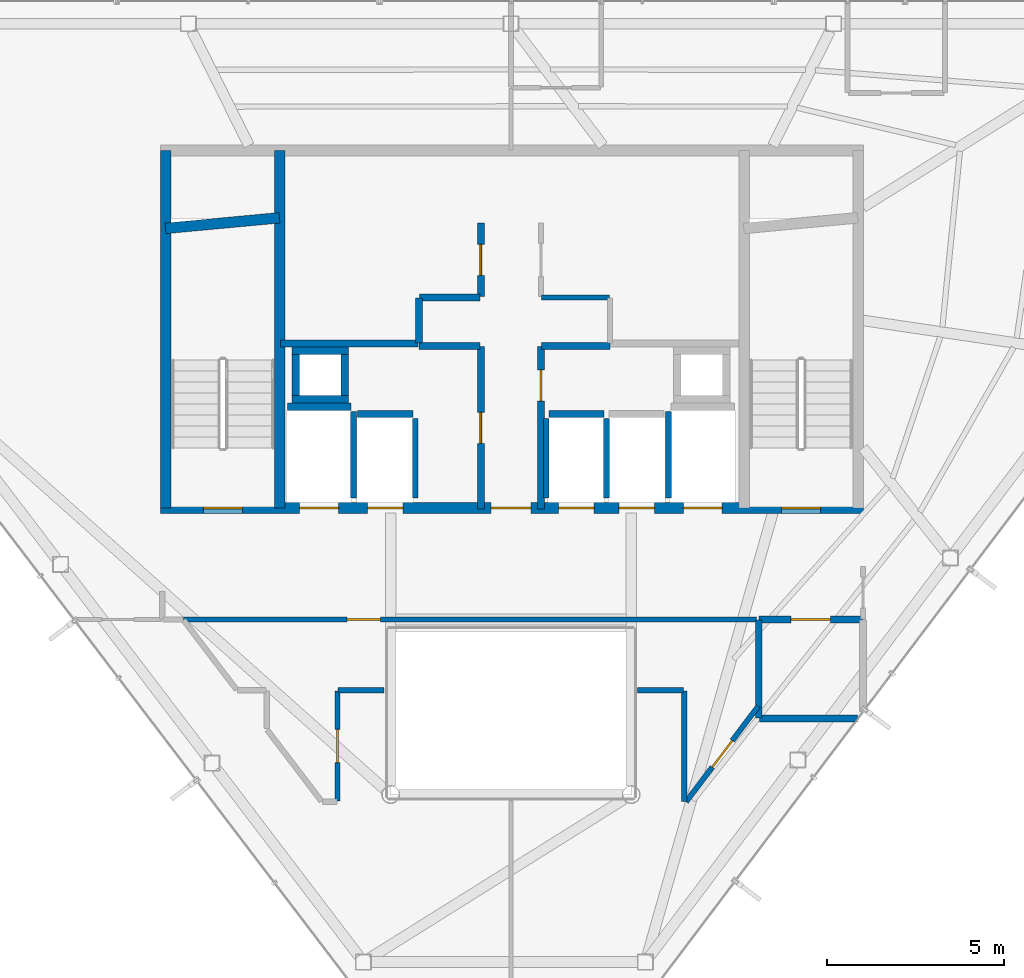
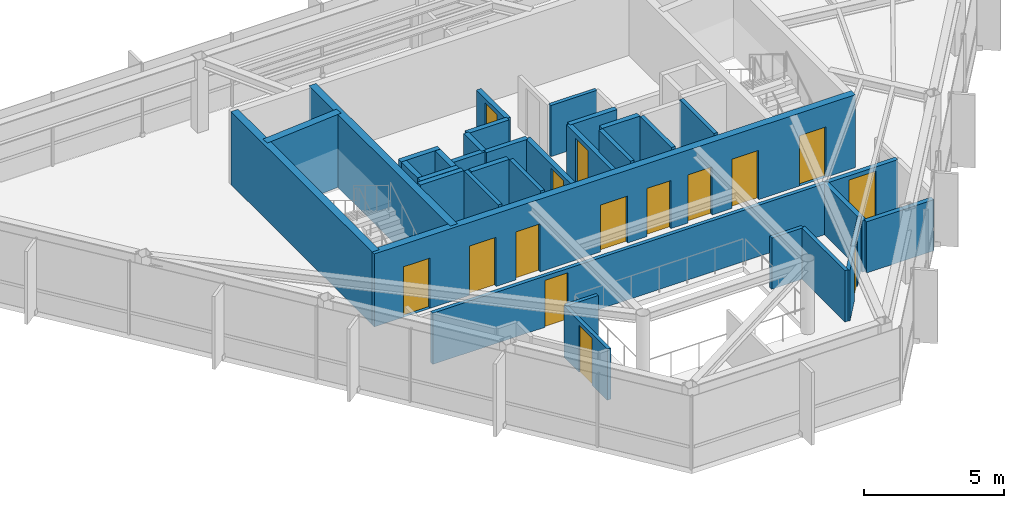
# One storey, part 21 of 23: 34 walls, 15 doors, 15 openings.
"""IFC4 building model written with IfcOpenShell, lengths in metres."""

from ifc_helpers import new_model, si_unit, direction, frame, frame_2d, origin, place, context, subcontext, project, spatial, rectangle, extrude, material, layer, layer_set, type_object, element, fill, save


model = new_model("IFC4")

# Units and contexts
model_context = context("Model", 3, precision=1e-05, world=origin(), true_north=direction((0.0, 1.0)))
body_context = subcontext(model_context, "Body", "Model", "MODEL_VIEW")
ifc_project = project(units=[si_unit("LENGTHUNIT", "METRE"), si_unit("AREAUNIT", "SQUARE_METRE"), si_unit("VOLUMEUNIT", "CUBIC_METRE"), si_unit("PLANEANGLEUNIT", "RADIAN"), si_unit("MASSUNIT", "GRAM", prefix="KILO")], contexts=[model_context])

# Site, building, storey
site_placement = place(None, origin())
site = spatial("IfcSite", under=ifc_project, at=site_placement, CompositionType="ELEMENT")
building_placement = place(site_placement, origin())
building = spatial("IfcBuilding", under=site, at=building_placement, Name="Zarrinselat Tower", CompositionType="ELEMENT")
storey_placement = place(building_placement, frame((0.0, 0.0, 278.800048828125)))
storey = spatial("IfcBuildingStorey", under=building, at=storey_placement, Name="L71", CompositionType="ELEMENT", Elevation=278.800048828125)

# Wall, opening, door
ifc_material_1 = material(Name="Concrete C40/50", Category="concrete")
ifc_layer_1 = layer(ifc_material_1, 0.18994140625)
ifc_layer_set_1 = layer_set([ifc_layer_1], Name="Concrete C40/50")
wall_type_1 = type_object("IfcWallType", Name="WAL-PART-EI120", PredefinedType="PARTITIONING", material=ifc_layer_set_1)
wall_1_placement = place(storey_placement, frame((45.405029296875, 30.14990234375, 0.0), z_axis=(0.0, 0.0, 1.0), x_axis=(1.0, 0.0, 0.0)))
wall_1 = element("IfcWall", 1, at=wall_1_placement, inside=storey, type_object=wall_type_1, Name="L71 Partition Wall 13", PredefinedType="PARTITIONING", context=body_context, shape_type="SweptSolid", body=[
    extrude(rectangle(XDim=2.925048828125, YDim=0.18994140625, at=frame_2d((1.46240234375, 0.0))), origin(), (0.0, 0.0, 1.0), 2.23486328125),
])
opening_1_placement = place(wall_1_placement, frame((0.902587890625, 0.0, 0.0)))
opening_1 = element("IfcOpeningElement", 2, at=opening_1_placement, cuts=wall_1, Name="Opening ID-02", PredefinedType="OPENING", context=body_context, shape_type="SweptSolid", body=[
    extrude(rectangle(XDim=1.1201171875, YDim=2.050048828125, at=frame_2d((0.56005859375, 1.02490234375))), frame((0.0, 0.10498046875, 0.0), z_axis=(0.0, -1.0, 0.0), x_axis=(1.0, 0.0, 0.0)), (0.0, 0.0, 1.0), 0.2099609375),
])
ifc_material_2 = material(Name="Steel S355J2", Category="steel")
door_type_1 = type_object("IfcDoorType", Name="DR-INT-FD60-W", OperationType="NOTDEFINED", PredefinedType="DOOR", material=ifc_material_2)
door_1_placement = place(opening_1_placement, origin())
door_1 = element("IfcDoor", 3, at=door_1_placement, inside=storey, type_object=door_type_1, Name="L71 Interior Door P13", OperationType="SINGLE_SWING_LEFT", OverallHeight=2.050048828125, OverallWidth=1.1201171875, PredefinedType="DOOR", context=body_context, shape_type="SweptSolid", body=[
    extrude(rectangle(XDim=1.1201171875, YDim=2.050048828125, at=frame_2d((0.56005859375, 1.02490234375))), frame((0.0, 0.02490234375, 0.0), z_axis=(0.0, -1.0, 0.0), x_axis=(1.0, 0.0, 0.0)), (0.0, 0.0, 1.0), 0.050048828125),
])
fill(opening_1, door_1)

# Walls
wall_2_placement = place(storey_placement, frame((45.39990234375, 27.3701171875, 0.0), z_axis=(0.0, 0.0, 1.0), x_axis=(0.0, 1.0, 0.0)))
element("IfcWall", 4, at=wall_2_placement, inside=storey, type_object=wall_type_1, Name="L71 Partition Wall 18", PredefinedType="PARTITIONING", context=body_context, shape_type="SweptSolid", body=[
    extrude(rectangle(XDim=2.759765625, YDim=0.18994140625, at=frame_2d((1.3798828125, 0.0))), origin(), (0.0, 0.0, 1.0), 2.23486328125),
])
wall_3_placement = place(storey_placement, frame((45.419921875, 27.35009765625, 0.0), z_axis=(0.0, 0.0, 1.0), x_axis=(1.0, 0.0, 0.0)))
element("IfcWall", 5, at=wall_3_placement, inside=storey, type_object=wall_type_1, Name="L71 Partition Wall 19", PredefinedType="PARTITIONING", context=body_context, shape_type="SweptSolid", body=[
    extrude(rectangle(XDim=2.772216796875, YDim=0.18994140625, at=frame_2d((1.38623046875, 0.0))), origin(), (0.0, 0.0, 1.0), 2.23486328125),
])
ifc_material_3 = material(Name="Fire-Rated Gypsum Board Partition", Category="gypsum")
ifc_layer_2 = layer(ifc_material_3, 0.14990234375)
ifc_layer_set_2 = layer_set([ifc_layer_2], Name="Fire-Rated Gypsum Board Partition")
wall_type_2 = type_object("IfcWallType", Name="WAL-PART-EI60", PredefinedType="PARTITIONING", material=ifc_layer_set_2)
wall_4_placement = place(storey_placement, frame((39.27001953125, 39.25, 0.0), z_axis=(0.0, 0.0, 1.0), x_axis=(1.0, 0.0, 0.0)))
element("IfcWall", 6, at=wall_4_placement, inside=storey, type_object=wall_type_2, Name="L71 Partition Wall 9", PredefinedType="PARTITIONING", context=body_context, shape_type="SweptSolid", body=[
    extrude(rectangle(XDim=1.909912109375, YDim=0.14990234375, at=frame_2d((0.955078125, 0.0))), origin(), (0.0, 0.0, 1.0), 2.23486328125),
])

# Wall, opening, door
wall_5_placement = place(storey_placement, frame((29.141357421875, 30.14990234375, 0.0), z_axis=(0.0, 0.0, 1.0), x_axis=(1.0, 0.0, 0.0)))
wall_5 = element("IfcWall", 7, at=wall_5_placement, inside=storey, type_object=wall_type_2, Name="L71 Partition Wall 14", PredefinedType="PARTITIONING", context=body_context, shape_type="SweptSolid", body=[
    extrude(rectangle(XDim=16.20361328125, YDim=0.14990234375, at=frame_2d((8.101806640625, 0.0))), origin(), (0.0, 0.0, 1.0), 2.23486328125),
])
opening_2_placement = place(wall_5_placement, frame((4.6318359375, 0.0, 0.0)))
opening_2 = element("IfcOpeningElement", 8, at=opening_2_placement, cuts=wall_5, Name="Opening ID-04", PredefinedType="OPENING", context=body_context, shape_type="SweptSolid", body=[
    extrude(rectangle(XDim=0.93994140625, YDim=2.050048828125, at=frame_2d((0.469970703125, 1.02490234375))), frame((0.0, 0.0849609375, 0.0), z_axis=(0.0, -1.0, 0.0), x_axis=(1.0, 0.0, 0.0)), (0.0, 0.0, 1.0), 0.169921875),
])
ifc_material_4 = material(Name="Fire-Rated Gypsum Board Partition")
door_type_2 = type_object("IfcDoorType", Name="DR-INT-FD30-ENT", OperationType="NOTDEFINED", PredefinedType="DOOR", material=ifc_material_4)
door_2_placement = place(opening_2_placement, origin())
door_2 = element("IfcDoor", 9, at=door_2_placement, inside=storey, type_object=door_type_2, Name="L71 Interior Door P14", OperationType="SINGLE_SWING_RIGHT", OverallHeight=2.050048828125, OverallWidth=0.93994140625, PredefinedType="DOOR", context=body_context, shape_type="SweptSolid", body=[
    extrude(rectangle(XDim=0.93994140625, YDim=2.050048828125, at=frame_2d((0.469970703125, 1.02490234375))), frame((0.0, 0.02490234375, 0.0), z_axis=(0.0, -1.0, 0.0), x_axis=(1.0, 0.0, 0.0)), (0.0, 0.0, 1.0), 0.050048828125),
])
fill(opening_2, door_2)

wall_6_placement = place(storey_placement, frame((43.351318359375, 25.0, 0.0), z_axis=(0.0, 0.0, 1.0), x_axis=(0.602454578258, 0.798153168969, 0.0)))
wall_6 = element("IfcWall", 10, at=wall_6_placement, inside=storey, type_object=wall_type_2, Name="L71 Partition Wall 21", PredefinedType="PARTITIONING", context=body_context, shape_type="SweptSolid", body=[
    extrude(rectangle(XDim=3.3857421875, YDim=0.14990234375, at=frame_2d((1.69287109375, 0.0))), origin(), (0.0, 0.0, 1.0), 2.23486328125),
])
opening_3_placement = place(wall_6_placement, frame((1.222900390625, 0.0, 0.0)))
opening_3 = element("IfcOpeningElement", 11, at=opening_3_placement, cuts=wall_6, Name="Opening ID-04", PredefinedType="OPENING", context=body_context, shape_type="SweptSolid", body=[
    extrude(rectangle(XDim=0.93994140625, YDim=2.050048828125, at=frame_2d((0.469970703125, 1.02490234375))), frame((0.0, 0.0849609375, 0.0), z_axis=(0.0, -1.0, 0.0), x_axis=(1.0, 0.0, 0.0)), (0.0, 0.0, 1.0), 0.169921875),
])
door_3_placement = place(opening_3_placement, origin())
door_3 = element("IfcDoor", 12, at=door_3_placement, inside=storey, type_object=door_type_2, Name="L71 Interior Door P21", OperationType="SINGLE_SWING_RIGHT", OverallHeight=2.050048828125, OverallWidth=0.93994140625, PredefinedType="DOOR", context=body_context, shape_type="SweptSolid", body=[
    extrude(rectangle(XDim=0.93994140625, YDim=2.050048828125, at=frame_2d((0.469970703125, 1.02490234375))), frame((0.0, 0.02490234375, 0.0), z_axis=(0.0, -1.0, 0.0), x_axis=(1.0, 0.0, 0.0)), (0.0, 0.0, 1.0), 0.050048828125),
])
fill(opening_3, door_3)

# Walls
wall_7_placement = place(storey_placement, frame((43.300048828125, 25.0, 0.0), z_axis=(0.0, 0.0, 1.0), x_axis=(0.0, 1.0, 0.0)))
element("IfcWall", 13, at=wall_7_placement, inside=storey, type_object=wall_type_2, Name="L71 Partition Wall 22", PredefinedType="PARTITIONING", context=body_context, shape_type="SweptSolid", body=[
    extrude(rectangle(XDim=3.1298828125, YDim=0.14990234375, at=frame_2d((1.56494140625, 0.0))), origin(), (0.0, 0.0, 1.0), 2.23486328125),
])
for number, where, z_axis, x_axis, name in (
    (14, (41.97998046875, 28.14990234375, 0.0), (0.0, 0.0, 1.0), (1.0, 0.0, 0.0), "L71 Partition Wall 23"),
    (15, (33.52001953125, 28.14990234375, 0.0), (0.0, 0.0, 1.0), (1.0, 0.0, 0.0), "L71 Partition Wall 24"),
):
    element("IfcWall", number, at=place(storey_placement, frame(where, z_axis=z_axis, x_axis=x_axis)), inside=storey, type_object=wall_type_2, Name=name, PredefinedType="PARTITIONING", context=body_context, shape_type="SweptSolid", body=[
        extrude(rectangle(XDim=1.300048828125, YDim=0.14990234375, at=frame_2d((0.64990234375, 0.0))), origin(), (0.0, 0.0, 1.0), 2.23486328125),
    ])

# Wall, opening, door
wall_8_placement = place(storey_placement, frame((33.5, 25.02001953125, 0.0), z_axis=(0.0, 0.0, 1.0), x_axis=(0.0, 1.0, 0.0)))
wall_8 = element("IfcWall", 16, at=wall_8_placement, inside=storey, type_object=wall_type_2, Name="L71 Partition Wall 25", PredefinedType="PARTITIONING", context=body_context, shape_type="SweptSolid", body=[
    extrude(rectangle(XDim=3.10986328125, YDim=0.14990234375, at=frame_2d((1.554931640625, 0.0))), origin(), (0.0, 0.0, 1.0), 2.23486328125),
])
opening_4_placement = place(wall_8_placement, frame((1.0849609375, 0.0, 0.0)))
opening_4 = element("IfcOpeningElement", 17, at=opening_4_placement, cuts=wall_8, Name="Opening ID-04", PredefinedType="OPENING", context=body_context, shape_type="SweptSolid", body=[
    extrude(rectangle(XDim=0.93994140625, YDim=2.050048828125, at=frame_2d((0.469970703125, 1.02490234375))), frame((0.0, 0.0849609375, 0.0), z_axis=(0.0, -1.0, 0.0), x_axis=(1.0, 0.0, 0.0)), (0.0, 0.0, 1.0), 0.169921875),
])
door_4_placement = place(opening_4_placement, origin())
door_4 = element("IfcDoor", 18, at=door_4_placement, inside=storey, type_object=door_type_2, Name="L71 Interior Door P25", OperationType="SINGLE_SWING_LEFT", OverallHeight=2.050048828125, OverallWidth=0.93994140625, PredefinedType="DOOR", context=body_context, shape_type="SweptSolid", body=[
    extrude(rectangle(XDim=0.93994140625, YDim=2.050048828125, at=frame_2d((0.469970703125, 1.02490234375))), frame((0.0, 0.02490234375, 0.0), z_axis=(0.0, -1.0, 0.0), x_axis=(1.0, 0.0, 0.0)), (0.0, 0.0, 1.0), 0.050048828125),
])
fill(opening_4, door_4)

ifc_material_5 = material(Name="Concrete C40/50", Category="concrete")
ifc_layer_3 = layer(ifc_material_5, 0.199951171875)
ifc_layer_set_3 = layer_set([ifc_layer_3], Name="Concrete C40/50")
wall_type_3 = type_object("IfcWallType", Name="WAL-PART-PLANT", PredefinedType="PARTITIONING", material=ifc_layer_set_3)
wall_9_placement = place(storey_placement, frame((37.550048828125, 33.264892578125, 0.0), z_axis=(0.0, 0.0, 1.0), x_axis=(0.0, 1.0, 0.0)))
wall_9 = element("IfcWall", 19, at=wall_9_placement, inside=storey, type_object=wall_type_3, Name="L71 Partition Wall 1", PredefinedType="PARTITIONING", context=body_context, shape_type="SweptSolid", body=[
    extrude(rectangle(XDim=4.59521484375, YDim=0.199951171875, at=frame_2d((2.297607421875, 0.0))), origin(), (0.0, 0.0, 1.0), 2.23486328125),
])
opening_5_placement = place(wall_9_placement, frame((1.857421875, 0.0, 0.0)))
opening_5 = element("IfcOpeningElement", 20, at=opening_5_placement, cuts=wall_9, Name="Opening ID-03", PredefinedType="OPENING", context=body_context, shape_type="SweptSolid", body=[
    extrude(rectangle(XDim=0.8798828125, YDim=2.050048828125, at=frame_2d((0.43994140625, 1.02490234375))), frame((0.0, 0.10986328125, 0.0), z_axis=(0.0, -1.0, 0.0), x_axis=(1.0, 0.0, 0.0)), (0.0, 0.0, 1.0), 0.219970703125),
])
ifc_material_6 = material(Name="Steel S355J2", Category="steel")
door_type_3 = type_object("IfcDoorType", Name="DR-INT-FD60-S", OperationType="NOTDEFINED", PredefinedType="DOOR", material=ifc_material_6)
door_5_placement = place(opening_5_placement, origin())
door_5 = element("IfcDoor", 21, at=door_5_placement, inside=storey, type_object=door_type_3, Name="L71 Interior Door P1", OperationType="SINGLE_SWING_LEFT", OverallHeight=2.050048828125, OverallWidth=0.8798828125, PredefinedType="DOOR", context=body_context, shape_type="SweptSolid", body=[
    extrude(rectangle(XDim=0.8798828125, YDim=2.050048828125, at=frame_2d((0.43994140625, 1.02490234375))), frame((0.0, 0.02490234375, 0.0), z_axis=(0.0, -1.0, 0.0), x_axis=(1.0, 0.0, 0.0)), (0.0, 0.0, 1.0), 0.050048828125),
])
fill(opening_5, door_5)

# Walls
wall_10_placement = place(storey_placement, frame((35.800048828125, 37.8798828125, 0.0), z_axis=(0.0, 0.0, 1.0), x_axis=(1.0, 0.0, 0.0)))
element("IfcWall", 22, at=wall_10_placement, inside=storey, type_object=wall_type_3, Name="L71 Partition Wall 2", PredefinedType="PARTITIONING", context=body_context, shape_type="SweptSolid", body=[
    extrude(rectangle(XDim=1.72998046875, YDim=0.199951171875, at=frame_2d((0.864990234375, 0.0))), origin(), (0.0, 0.0, 1.0), 2.23486328125),
])
wall_11_placement = place(storey_placement, frame((35.800048828125, 37.955078125, 0.0), z_axis=(0.0, 0.0, 1.0), x_axis=(0.0, 1.0, 0.0)))
element("IfcWall", 23, at=wall_11_placement, inside=storey, type_object=wall_type_3, Name="L71 Partition Wall 3", PredefinedType="PARTITIONING", context=body_context, shape_type="SweptSolid", body=[
    extrude(rectangle(XDim=1.27490234375, YDim=0.199951171875, at=frame_2d((0.637451171875, 0.0))), origin(), (0.0, 0.0, 1.0), 2.23486328125),
])
wall_12_placement = place(storey_placement, frame((35.820068359375, 39.25, 0.0), z_axis=(0.0, 0.0, 1.0), x_axis=(1.0, 0.0, 0.0)))
element("IfcWall", 24, at=wall_12_placement, inside=storey, type_object=wall_type_3, Name="L71 Partition Wall 4", PredefinedType="PARTITIONING", context=body_context, shape_type="SweptSolid", body=[
    extrude(rectangle(XDim=1.7099609375, YDim=0.199951171875, at=frame_2d((0.85498046875, 0.0))), origin(), (0.0, 0.0, 1.0), 2.23486328125),
])

# Wall, opening, door
wall_13_placement = place(storey_placement, frame((37.550048828125, 39.27001953125, 0.0), z_axis=(0.0, 0.0, 1.0), x_axis=(0.0, 1.0, 0.0)))
wall_13 = element("IfcWall", 25, at=wall_13_placement, inside=storey, type_object=wall_type_3, Name="L71 Partition Wall 5", PredefinedType="PARTITIONING", context=body_context, shape_type="SweptSolid", body=[
    extrude(rectangle(XDim=2.080078125, YDim=0.199951171875, at=frame_2d((1.0400390625, 0.0))), origin(), (0.0, 0.0, 1.0), 2.23486328125),
])
opening_6_placement = place(wall_13_placement, frame((0.60009765625, 0.0, 0.0)))
opening_6 = element("IfcOpeningElement", 26, at=opening_6_placement, cuts=wall_13, Name="Opening ID-03", PredefinedType="OPENING", context=body_context, shape_type="SweptSolid", body=[
    extrude(rectangle(XDim=0.8798828125, YDim=2.050048828125, at=frame_2d((0.43994140625, 1.02490234375))), frame((0.0, 0.10986328125, 0.0), z_axis=(0.0, -1.0, 0.0), x_axis=(1.0, 0.0, 0.0)), (0.0, 0.0, 1.0), 0.219970703125),
])
door_6_placement = place(opening_6_placement, origin())
door_6 = element("IfcDoor", 27, at=door_6_placement, inside=storey, type_object=door_type_3, Name="L71 Interior Door P5", OperationType="SINGLE_SWING_RIGHT", OverallHeight=2.050048828125, OverallWidth=0.8798828125, PredefinedType="DOOR", context=body_context, shape_type="SweptSolid", body=[
    extrude(rectangle(XDim=0.8798828125, YDim=2.050048828125, at=frame_2d((0.43994140625, 1.02490234375))), frame((0.0, 0.02490234375, 0.0), z_axis=(0.0, -1.0, 0.0), x_axis=(1.0, 0.0, 0.0)), (0.0, 0.0, 1.0), 0.050048828125),
])
fill(opening_6, door_6)

# Wall
wall_14_placement = place(storey_placement, frame((39.27001953125, 37.8798828125, 0.0), z_axis=(0.0, 0.0, 1.0), x_axis=(1.0, 0.0, 0.0)))
element("IfcWall", 28, at=wall_14_placement, inside=storey, type_object=wall_type_3, Name="L71 Partition Wall 6", PredefinedType="PARTITIONING", context=body_context, shape_type="SweptSolid", body=[
    extrude(rectangle(XDim=1.929931640625, YDim=0.199951171875, at=frame_2d((0.96484375, 0.0))), origin(), (0.0, 0.0, 1.0), 2.23486328125),
])

# Wall, opening, door
wall_15_placement = place(storey_placement, frame((39.25, 33.264892578125, 0.0), z_axis=(0.0, 0.0, 1.0), x_axis=(0.0, 1.0, 0.0)))
wall_15 = element("IfcWall", 29, at=wall_15_placement, inside=storey, type_object=wall_type_3, Name="L71 Partition Wall 7", PredefinedType="PARTITIONING", context=body_context, shape_type="SweptSolid", body=[
    extrude(rectangle(XDim=4.59521484375, YDim=0.199951171875, at=frame_2d((2.297607421875, 0.0))), origin(), (0.0, 0.0, 1.0), 2.23486328125),
])
opening_7_placement = place(wall_15_placement, frame((3.0576171875, 0.0, 0.0)))
opening_7 = element("IfcOpeningElement", 30, at=opening_7_placement, cuts=wall_15, Name="Opening ID-03", PredefinedType="OPENING", context=body_context, shape_type="SweptSolid", body=[
    extrude(rectangle(XDim=0.8798828125, YDim=2.050048828125, at=frame_2d((0.43994140625, 1.02490234375))), frame((0.0, 0.10986328125, 0.0), z_axis=(0.0, -1.0, 0.0), x_axis=(1.0, 0.0, 0.0)), (0.0, 0.0, 1.0), 0.219970703125),
])
door_7_placement = place(opening_7_placement, origin())
door_7 = element("IfcDoor", 31, at=door_7_placement, inside=storey, type_object=door_type_3, Name="L71 Interior Door P7", OperationType="SINGLE_SWING_LEFT", OverallHeight=2.050048828125, OverallWidth=0.8798828125, PredefinedType="DOOR", context=body_context, shape_type="SweptSolid", body=[
    extrude(rectangle(XDim=0.8798828125, YDim=2.050048828125, at=frame_2d((0.43994140625, 1.02490234375))), frame((0.0, 0.02490234375, 0.0), z_axis=(0.0, -1.0, 0.0), x_axis=(1.0, 0.0, 0.0)), (0.0, 0.0, 1.0), 0.050048828125),
])
fill(opening_7, door_7)

# Walls
wall_16_placement = place(storey_placement, frame((31.885009765625, 37.949951171875, 0.0), z_axis=(0.0, 0.0, 1.0), x_axis=(1.0, 0.0, 0.0)))
element("IfcWall", 32, at=wall_16_placement, inside=storey, type_object=wall_type_3, Name="L71 Partition Wall 11", PredefinedType="PARTITIONING", context=body_context, shape_type="SweptSolid", body=[
    extrude(rectangle(XDim=3.89501953125, YDim=0.199951171875, at=frame_2d((1.947509765625, 0.0))), origin(), (0.0, 0.0, 1.0), 2.23486328125),
])
ifc_material_7 = material(Name="Concrete C40/50", Category="concrete")
ifc_layer_4 = layer(ifc_material_7, 0.2099609375)
ifc_layer_set_4 = layer_set([ifc_layer_4], Name="Concrete C40/50")
wall_type_4 = type_object("IfcWallType", Name="WAL-SHAFT-210", PredefinedType="SOLIDWALL", material=ifc_layer_set_4)
wall_17_placement = place(storey_placement, frame((32.080078125, 36.155029296875, 0.0), z_axis=(0.0, 0.0, 1.0), x_axis=(1.0, 0.0, 0.0)))
element("IfcWall", 33, at=wall_17_placement, inside=storey, type_object=wall_type_4, Name="L71 Lift FFL1 North Shaft Wall", PredefinedType="SOLIDWALL", context=body_context, shape_type="SweptSolid", body=[
    extrude(rectangle(XDim=1.7998046875, YDim=0.2099609375, at=frame_2d((0.89990234375, 0.0))), origin(), (0.0, 0.0, 1.0), 3.179931640625),
])
for number, where, z_axis, x_axis, name in (
    (34, (33.949951171875, 33.580078125, 0.0), (0.0, 0.0, 1.0), (0.0, 1.0, 0.0), "L71 Lift FFL1 E Shaft Wall"),
    (35, (42.85009765625, 33.580078125, 0.0), (0.0, 0.0, 1.0), (0.0, 1.0, 0.0), "L71 Lift FFL2 W Shaft Wall"),
):
    element("IfcWall", number, at=place(storey_placement, frame(where, z_axis=z_axis, x_axis=x_axis)), inside=storey, type_object=wall_type_4, Name=name, PredefinedType="SOLIDWALL", context=body_context, shape_type="SweptSolid", body=[
        extrude(rectangle(XDim=2.449951171875, YDim=0.159912109375, at=frame_2d((1.22509765625, 0.0))), origin(), (0.0, 0.0, 1.0), 3.179931640625),
    ])
wall_18_placement = place(storey_placement, frame((39.469970703125, 35.955078125, 0.0), z_axis=(0.0, 0.0, 1.0), x_axis=(1.0, 0.0, 0.0)))
element("IfcWall", 36, at=wall_18_placement, inside=storey, type_object=wall_type_4, Name="L71 Lift PL8 North Shaft Wall", PredefinedType="SOLIDWALL", context=body_context, shape_type="SweptSolid", body=[
    extrude(rectangle(XDim=1.56005859375, YDim=0.2099609375, at=frame_2d((0.780029296875, 0.0))), origin(), (0.0, 0.0, 1.0), 3.179931640625),
])
for number, where, z_axis, x_axis, name in (
    (37, (39.39990234375, 33.580078125, 0.0), (0.0, 0.0, 1.0), (0.0, 1.0, 0.0), "L71 Lift PL8 W Shaft Wall"),
    (38, (41.10009765625, 33.580078125, 0.0), (0.0, 0.0, 1.0), (0.0, 1.0, 0.0), "L71 Lift PL8 E Shaft Wall"),
):
    element("IfcWall", number, at=place(storey_placement, frame(where, z_axis=z_axis, x_axis=x_axis)), inside=storey, type_object=wall_type_4, Name=name, PredefinedType="SOLIDWALL", context=body_context, shape_type="SweptSolid", body=[
        extrude(rectangle(XDim=2.25, YDim=0.159912109375, at=frame_2d((1.125, 0.0))), origin(), (0.0, 0.0, 1.0), 3.179931640625),
    ])
wall_19_placement = place(storey_placement, frame((34.070068359375, 35.955078125, 0.0), z_axis=(0.0, 0.0, 1.0), x_axis=(1.0, 0.0, 0.0)))
element("IfcWall", 39, at=wall_19_placement, inside=storey, type_object=wall_type_4, Name="L71 Lift PL10 North Shaft Wall", PredefinedType="SOLIDWALL", context=body_context, shape_type="SweptSolid", body=[
    extrude(rectangle(XDim=1.559814453125, YDim=0.2099609375, at=frame_2d((0.77978515625, 0.0))), origin(), (0.0, 0.0, 1.0), 3.179931640625),
])
wall_20_placement = place(storey_placement, frame((35.699951171875, 33.580078125, 0.0), z_axis=(0.0, 0.0, 1.0), x_axis=(0.0, 1.0, 0.0)))
element("IfcWall", 40, at=wall_20_placement, inside=storey, type_object=wall_type_4, Name="L71 Lift PL10 E Shaft Wall", PredefinedType="SOLIDWALL", context=body_context, shape_type="SweptSolid", body=[
    extrude(rectangle(XDim=2.25, YDim=0.159912109375, at=frame_2d((1.125, 0.0))), origin(), (0.0, 0.0, 1.0), 3.179931640625),
])
for number, where, z_axis, x_axis, name in (
    (41, (32.2099609375, 36.375, 0.0), (0.0, 0.0, 1.0), (1.0, 0.0, 0.0), "L71 Core Riser RSR-W S Shaft Wall"),
    (42, (32.2099609375, 37.7451171875, 0.0), (0.0, 0.0, 1.0), (1.0, 0.0, 0.0), "L71 Core Riser RSR-W N Shaft Wall"),
):
    element("IfcWall", number, at=place(storey_placement, frame(where, z_axis=z_axis, x_axis=x_axis)), inside=storey, type_object=wall_type_4, Name=name, PredefinedType="SOLIDWALL", context=body_context, shape_type="SweptSolid", body=[
        extrude(rectangle(XDim=1.60009765625, YDim=0.2099609375, at=frame_2d((0.800048828125, 0.0))), origin(), (0.0, 0.0, 1.0), 3.179931640625),
    ])
for number, where, z_axis, x_axis, name in (
    (43, (32.31494140625, 36.485107421875, 0.0), (0.0, 0.0, 1.0), (0.0, 1.0, 0.0), "L71 Core Riser RSR-W W Shaft Wall"),
    (44, (33.705078125, 36.485107421875, 0.0), (0.0, 0.0, 1.0), (0.0, 1.0, 0.0), "L71 Core Riser RSR-W E Shaft Wall"),
):
    element("IfcWall", number, at=place(storey_placement, frame(where, z_axis=z_axis, x_axis=x_axis)), inside=storey, type_object=wall_type_4, Name=name, PredefinedType="SOLIDWALL", context=body_context, shape_type="SweptSolid", body=[
        extrude(rectangle(XDim=1.14990234375, YDim=0.2099609375, at=frame_2d((0.574951171875, 0.0))), origin(), (0.0, 0.0, 1.0), 3.179931640625),
    ])

# Wall, openings, doors
ifc_material_8 = material(Name="Concrete C40/50", Category="concrete")
ifc_layer_5 = layer(ifc_material_8, 0.300048828125)
ifc_layer_set_5 = layer_set([ifc_layer_5], Name="Concrete C40/50")
wall_type_5 = type_object("IfcWallType", Name="WAL-SHEAR-300", PredefinedType="SHEAR", material=ifc_layer_set_5)
wall_21_placement = place(storey_placement, frame((28.5, 33.300048828125, 0.0), z_axis=(0.0, 0.0, 1.0), x_axis=(1.0, 0.0, 0.0)))
wall_21 = element("IfcWall", 45, at=wall_21_placement, inside=storey, type_object=wall_type_5, Name="L71 South Core Shear Wall", PredefinedType="SHEAR", context=body_context, shape_type="SweptSolid", body=[
    extrude(rectangle(XDim=19.860107421875, YDim=0.300048828125, at=frame_2d((9.93017578125, 0.0))), origin(), (0.0, 0.0, 1.0), 3.179931640625),
])
opening_8_placement = place(wall_21_placement, frame((3.929931640625, 0.0, 0.0)))
opening_8 = element("IfcOpeningElement", 46, at=opening_8_placement, cuts=wall_21, Name="Opening LD-FFL1", PredefinedType="OPENING", context=body_context, shape_type="SweptSolid", body=[
    extrude(rectangle(XDim=1.10009765625, YDim=2.14990234375, at=frame_2d((0.550048828125, 1.074951171875))), frame((0.0, 0.159912109375, 0.0), z_axis=(0.0, -1.0, 0.0), x_axis=(1.0, 0.0, 0.0)), (0.0, 0.0, 1.0), 0.320068359375),
])
opening_9_placement = place(wall_21_placement, frame((14.77001953125, 0.0, 0.0)))
opening_9 = element("IfcOpeningElement", 47, at=opening_9_placement, cuts=wall_21, Name="Opening LD-FFL2", PredefinedType="OPENING", context=body_context, shape_type="SweptSolid", body=[
    extrude(rectangle(XDim=1.10009765625, YDim=2.14990234375, at=frame_2d((0.550048828125, 1.074951171875))), frame((0.0, 0.159912109375, 0.0), z_axis=(0.0, -1.0, 0.0), x_axis=(1.0, 0.0, 0.0)), (0.0, 0.0, 1.0), 0.320068359375),
])
opening_10_placement = place(wall_21_placement, frame((11.25, 0.0, 0.0)))
opening_10 = element("IfcOpeningElement", 48, at=opening_10_placement, cuts=wall_21, Name="Opening LD-PL8", PredefinedType="OPENING", context=body_context, shape_type="SweptSolid", body=[
    extrude(rectangle(XDim=1.0, YDim=2.10009765625, at=frame_2d((0.5, 1.050048828125))), frame((0.0, 0.159912109375, 0.0), z_axis=(0.0, -1.0, 0.0), x_axis=(1.0, 0.0, 0.0)), (0.0, 0.0, 1.0), 0.320068359375),
])
opening_11_placement = place(wall_21_placement, frame((12.949951171875, 0.0, 0.0)))
opening_11 = element("IfcOpeningElement", 49, at=opening_11_placement, cuts=wall_21, Name="Opening LD-PL9", PredefinedType="OPENING", context=body_context, shape_type="SweptSolid", body=[
    extrude(rectangle(XDim=1.0, YDim=2.10009765625, at=frame_2d((0.5, 1.050048828125))), frame((0.0, 0.159912109375, 0.0), z_axis=(0.0, -1.0, 0.0), x_axis=(1.0, 0.0, 0.0)), (0.0, 0.0, 1.0), 0.320068359375),
])
opening_12_placement = place(wall_21_placement, frame((5.85009765625, 0.0, 0.0)))
opening_12 = element("IfcOpeningElement", 50, at=opening_12_placement, cuts=wall_21, Name="Opening LD-PL10", PredefinedType="OPENING", context=body_context, shape_type="SweptSolid", body=[
    extrude(rectangle(XDim=1.0, YDim=2.10009765625, at=frame_2d((0.5, 1.050048828125))), frame((0.0, 0.159912109375, 0.0), z_axis=(0.0, -1.0, 0.0), x_axis=(1.0, 0.0, 0.0)), (0.0, 0.0, 1.0), 0.320068359375),
])
opening_13_placement = place(wall_21_placement, frame((1.2099609375, 0.0, 0.0)))
opening_13 = element("IfcOpeningElement", 51, at=opening_13_placement, cuts=wall_21, Name="Opening SD-01", PredefinedType="OPENING", context=body_context, shape_type="SweptSolid", body=[
    extrude(rectangle(XDim=1.10009765625, YDim=2.199951171875, at=frame_2d((0.550048828125, 1.10009765625))), frame((0.0, 0.159912109375, 0.0), z_axis=(0.0, -1.0, 0.0), x_axis=(1.0, 0.0, 0.0)), (0.0, 0.0, 1.0), 0.320068359375),
])
opening_14_placement = place(wall_21_placement, frame((9.340087890625, 0.0, 0.0)))
opening_14 = element("IfcOpeningElement", 52, at=opening_14_placement, cuts=wall_21, Name="Opening ID-02", PredefinedType="OPENING", context=body_context, shape_type="SweptSolid", body=[
    extrude(rectangle(XDim=1.1201171875, YDim=2.050048828125, at=frame_2d((0.56005859375, 1.02490234375))), frame((0.0, 0.159912109375, 0.0), z_axis=(0.0, -1.0, 0.0), x_axis=(1.0, 0.0, 0.0)), (0.0, 0.0, 1.0), 0.320068359375),
])
opening_15_placement = place(wall_21_placement, frame((17.550048828125, 0.0, 0.0)))
opening_15 = element("IfcOpeningElement", 53, at=opening_15_placement, cuts=wall_21, Name="Opening SD-01", PredefinedType="OPENING", context=body_context, shape_type="SweptSolid", body=[
    extrude(rectangle(XDim=1.10009765625, YDim=2.199951171875, at=frame_2d((0.550048828125, 1.10009765625))), frame((0.0, 0.159912109375, 0.0), z_axis=(0.0, -1.0, 0.0), x_axis=(1.0, 0.0, 0.0)), (0.0, 0.0, 1.0), 0.320068359375),
])
door_8_placement = place(opening_14_placement, origin())
door_8 = element("IfcDoor", 54, at=door_8_placement, inside=storey, type_object=door_type_1, Name="L71 Core Service Vestibule Fire Door", OperationType="SINGLE_SWING_LEFT", OverallHeight=2.050048828125, OverallWidth=1.1201171875, PredefinedType="DOOR", context=body_context, shape_type="SweptSolid", body=[
    extrude(rectangle(XDim=1.1201171875, YDim=2.050048828125, at=frame_2d((0.56005859375, 1.02490234375))), frame((0.0, 0.02490234375, 0.0), z_axis=(0.0, -1.0, 0.0), x_axis=(1.0, 0.0, 0.0)), (0.0, 0.0, 1.0), 0.050048828125),
])
fill(opening_14, door_8)
ifc_material_9 = material(Name="Steel S355J2", Category="steel")
door_type_4 = type_object("IfcDoorType", Name="DR-LIFT-FF-1100", OperationType="NOTDEFINED", PredefinedType="DOOR", material=ifc_material_9)
door_9_placement = place(opening_8_placement, origin())
door_9 = element("IfcDoor", 55, at=door_9_placement, inside=storey, type_object=door_type_4, Name="L71 Lift FFL1 Sliding Landing Door", OperationType="SLIDING_TO_LEFT", OverallHeight=2.14990234375, OverallWidth=1.10009765625, PredefinedType="DOOR", context=body_context, shape_type="SweptSolid", body=[
    extrude(rectangle(XDim=1.10009765625, YDim=2.14990234375, at=frame_2d((0.550048828125, 1.074951171875))), frame((0.0, 0.02490234375, 0.0), z_axis=(0.0, -1.0, 0.0), x_axis=(1.0, 0.0, 0.0)), (0.0, 0.0, 1.0), 0.050048828125),
])
fill(opening_8, door_9)
door_10_placement = place(opening_9_placement, origin())
door_10 = element("IfcDoor", 56, at=door_10_placement, inside=storey, type_object=door_type_4, Name="L71 Lift FFL2 Sliding Landing Door", OperationType="SLIDING_TO_RIGHT", OverallHeight=2.14990234375, OverallWidth=1.10009765625, PredefinedType="DOOR", context=body_context, shape_type="SweptSolid", body=[
    extrude(rectangle(XDim=1.10009765625, YDim=2.14990234375, at=frame_2d((0.550048828125, 1.074951171875))), frame((0.0, 0.02490234375, 0.0), z_axis=(0.0, -1.0, 0.0), x_axis=(1.0, 0.0, 0.0)), (0.0, 0.0, 1.0), 0.050048828125),
])
fill(opening_9, door_10)
ifc_material_10 = material(Name="Steel S355J2", Category="steel")
door_type_5 = type_object("IfcDoorType", Name="DR-LIFT-PS-1000", OperationType="NOTDEFINED", PredefinedType="DOOR", material=ifc_material_10)
door_11_placement = place(opening_10_placement, origin())
door_11 = element("IfcDoor", 57, at=door_11_placement, inside=storey, type_object=door_type_5, Name="L71 Lift PL8 Sliding Landing Door", OperationType="SLIDING_TO_RIGHT", OverallHeight=2.10009765625, OverallWidth=1.0, PredefinedType="DOOR", context=body_context, shape_type="SweptSolid", body=[
    extrude(rectangle(XDim=1.0, YDim=2.10009765625, at=frame_2d((0.5, 1.050048828125))), frame((0.0, 0.02490234375, 0.0), z_axis=(0.0, -1.0, 0.0), x_axis=(1.0, 0.0, 0.0)), (0.0, 0.0, 1.0), 0.050048828125),
])
fill(opening_10, door_11)
door_12_placement = place(opening_11_placement, origin())
door_12 = element("IfcDoor", 58, at=door_12_placement, inside=storey, type_object=door_type_5, Name="L71 Lift PL9 Sliding Landing Door", OperationType="SLIDING_TO_LEFT", OverallHeight=2.10009765625, OverallWidth=1.0, PredefinedType="DOOR", context=body_context, shape_type="SweptSolid", body=[
    extrude(rectangle(XDim=1.0, YDim=2.10009765625, at=frame_2d((0.5, 1.050048828125))), frame((0.0, 0.02490234375, 0.0), z_axis=(0.0, -1.0, 0.0), x_axis=(1.0, 0.0, 0.0)), (0.0, 0.0, 1.0), 0.050048828125),
])
fill(opening_11, door_12)
door_13_placement = place(opening_12_placement, origin())
door_13 = element("IfcDoor", 59, at=door_13_placement, inside=storey, type_object=door_type_5, Name="L71 Lift PL10 Sliding Landing Door", OperationType="SLIDING_TO_RIGHT", OverallHeight=2.10009765625, OverallWidth=1.0, PredefinedType="DOOR", context=body_context, shape_type="SweptSolid", body=[
    extrude(rectangle(XDim=1.0, YDim=2.10009765625, at=frame_2d((0.5, 1.050048828125))), frame((0.0, 0.02490234375, 0.0), z_axis=(0.0, -1.0, 0.0), x_axis=(1.0, 0.0, 0.0)), (0.0, 0.0, 1.0), 0.050048828125),
])
fill(opening_12, door_13)
ifc_material_11 = material(Name="Steel S355J2", Category="steel")
door_type_6 = type_object("IfcDoorType", Name="DR-STAIR-1100", OperationType="NOTDEFINED", PredefinedType="DOOR", material=ifc_material_11)
door_14_placement = place(opening_13_placement, origin())
door_14 = element("IfcDoor", 60, at=door_14_placement, inside=storey, type_object=door_type_6, Name="L71 Exit Stair 1 Fire Door", OperationType="SINGLE_SWING_LEFT", OverallHeight=2.199951171875, OverallWidth=1.10009765625, PredefinedType="DOOR", context=body_context, shape_type="SweptSolid", body=[
    extrude(rectangle(XDim=1.10009765625, YDim=2.199951171875, at=frame_2d((0.550048828125, 1.10009765625))), frame((0.0, 0.02490234375, 0.0), z_axis=(0.0, -1.0, 0.0), x_axis=(1.0, 0.0, 0.0)), (0.0, 0.0, 1.0), 0.050048828125),
])
fill(opening_13, door_14)
door_15_placement = place(opening_15_placement, origin())
door_15 = element("IfcDoor", 61, at=door_15_placement, inside=storey, type_object=door_type_6, Name="L71 Exit Stair 2 Fire Door", OperationType="SINGLE_SWING_RIGHT", OverallHeight=2.199951171875, OverallWidth=1.10009765625, PredefinedType="DOOR", context=body_context, shape_type="SweptSolid", body=[
    extrude(rectangle(XDim=1.10009765625, YDim=2.199951171875, at=frame_2d((0.550048828125, 1.10009765625))), frame((0.0, 0.02490234375, 0.0), z_axis=(0.0, -1.0, 0.0), x_axis=(1.0, 0.0, 0.0)), (0.0, 0.0, 1.0), 0.050048828125),
])
fill(opening_15, door_15)

# Walls
for number, where, z_axis, x_axis, name in (
    (62, (28.64990234375, 33.300048828125, 0.0), (0.0, 0.0, 1.0), (0.0, 1.0, 0.0), "L71 Core Shear Wall W"),
    (63, (31.8701171875, 33.300048828125, 0.0), (0.0, 0.0, 1.0), (0.0, 1.0, 0.0), "L71 Core Shear Wall ST1E"),
):
    element("IfcWall", number, at=place(storey_placement, frame(where, z_axis=z_axis, x_axis=x_axis)), inside=storey, type_object=wall_type_5, Name=name, PredefinedType="SHEAR", context=body_context, shape_type="SweptSolid", body=[
        extrude(rectangle(XDim=10.099853515625, YDim=0.300048828125, at=frame_2d((5.0498046875, 0.0))), origin(), (0.0, 0.0, 1.0), 3.179931640625),
    ])
wall_22_placement = place(storey_placement, frame((28.639892578125, 41.199951171875, 0.0), z_axis=(0.0, 0.0, 1.0), x_axis=(0.995687118776, 0.092774789157, 0.0)))
element("IfcWall", 64, at=wall_22_placement, inside=storey, type_object=wall_type_5, Name="L71 Stair 1 North Shaft Wall", PredefinedType="SHEAR", context=body_context, shape_type="SweptSolid", body=[
    extrude(rectangle(XDim=3.234130859375, YDim=0.300048828125, at=frame_2d((1.6171875, 0.0))), origin(), (0.0, 0.0, 1.0), 3.179931640625),
])

save(model, "model.ifc")
